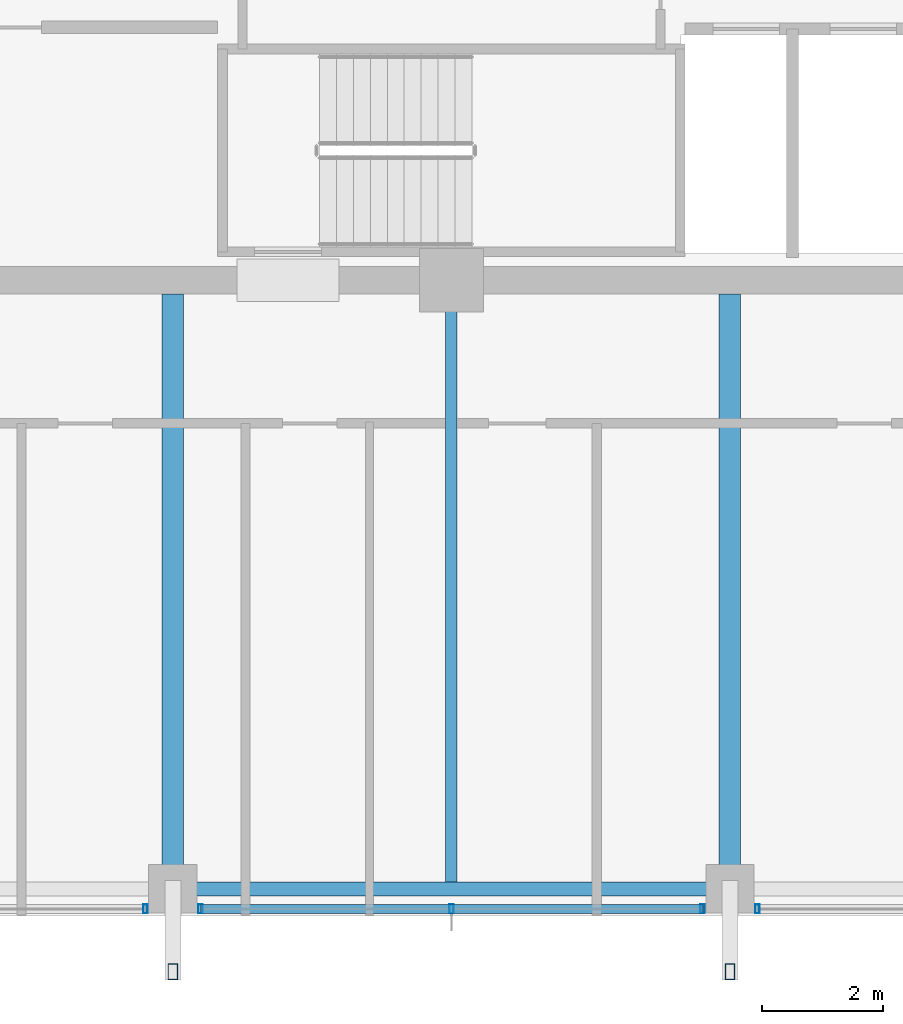
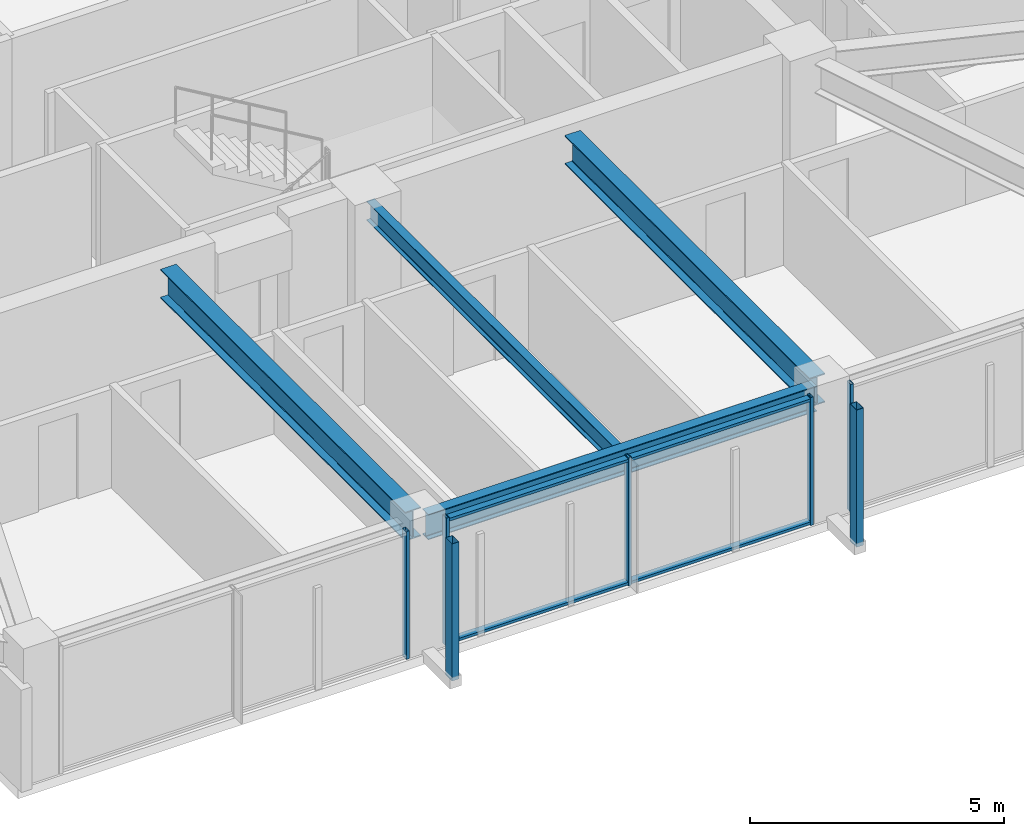
# One storey, part 4 of 35: 9 members, 4 beams, 3 elements without a shape of their own.
"""IFC4 building model written with IfcOpenShell, lengths in metres."""

from ifc_helpers import new_model, si_unit, direction, frame, origin, origin_2d, place, context, subcontext, project, spatial, hollow_rectangle, i_section, extrude, material, material_profile, profile_set, type_object, element, aggregate, save


model = new_model("IFC4")

# Units and contexts
model_context = context("Model", 3, precision=1e-05, world=origin(), true_north=direction((0.0, 1.0)))
body_context = subcontext(model_context, "Body", "Model", "MODEL_VIEW")
ifc_project = project(units=[si_unit("LENGTHUNIT", "METRE"), si_unit("AREAUNIT", "SQUARE_METRE"), si_unit("VOLUMEUNIT", "CUBIC_METRE"), si_unit("PLANEANGLEUNIT", "RADIAN"), si_unit("MASSUNIT", "GRAM", prefix="KILO")], contexts=[model_context])

# Site, building, storey
site_placement = place(None, origin())
site = spatial("IfcSite", under=ifc_project, at=site_placement, CompositionType="ELEMENT")
building_placement = place(site_placement, origin())
building = spatial("IfcBuilding", under=site, at=building_placement, Name="Kolvaren Belvedere", CompositionType="ELEMENT")
storey_placement = place(building_placement, frame((0.0, 0.0, 216.300048828125)))
storey = spatial("IfcBuildingStorey", under=building, at=storey_placement, Name="L63", CompositionType="ELEMENT", Elevation=216.300048828125)

# Beams
ifc_material_1 = material(Name="Structural steel ASTM A992 Grade 50", Category="steel")
ifc_material_profile_1 = material_profile(ifc_material_1, i_section(OverallWidth=0.35498046875, OverallDepth=0.696044921875, WebThickness=0.015380859375, FlangeThickness=0.02490234375, FilletRadius=0.02197265625, at=origin_2d()), Name="W27X146")
ifc_profile_set_1 = profile_set([ifc_material_profile_1], Name="Structural steel ASTM A992 Grade 50")
beam_type_1 = type_object("IfcBeamType", Name="BM-GIRD-W27X146", PredefinedType="BEAM", material=ifc_profile_set_1)
for number, where, z_axis, x_axis, name in (
    (1, (4.60009765625, -10.125, 2.73193359375), (0.0, -1.0, 0.0), (1.0, 0.0, 0.0), "L63 South Radial Girder P"),
    (2, (-4.60009765625, -10.125, 2.73193359375), (0.0, -1.0, 0.0), (1.0, 0.0, 0.0), "L63 South Radial Girder M"),
):
    element("IfcBeam", number, at=place(storey_placement, frame(where, z_axis=z_axis, x_axis=x_axis)), inside=storey, type_object=beam_type_1, Name=name, PredefinedType="BEAM", context=body_context, shape_type="SweptSolid", body=[
        extrude(i_section(OverallWidth=0.35498046875, OverallDepth=0.696044921875, WebThickness=0.015380859375, FlangeThickness=0.02490234375, FilletRadius=0.02197265625, at=origin_2d()), origin(), (0.0, 0.0, 1.0), 9.64501953125),
    ])
ifc_material_2 = material(Name="Structural steel ASTM A992 Grade 50", Category="steel")
ifc_material_profile_2 = material_profile(ifc_material_2, i_section(OverallWidth=0.19091796875, OverallDepth=0.4599609375, WebThickness=0.010009765625, FlangeThickness=0.01611328125, FilletRadius=0.014892578125, at=origin_2d()), Name="W18X55")
ifc_profile_set_2 = profile_set([ifc_material_profile_2], Name="Structural steel ASTM A992 Grade 50")
beam_type_2 = type_object("IfcBeamType", Name="BM-JOIST-W18X55", PredefinedType="BEAM", material=ifc_profile_set_2)
beam_1_placement = place(storey_placement, frame((0.0, -10.125, 2.849853515625), z_axis=(0.0, -1.0, 0.0), x_axis=(1.0, 0.0, 0.0)))
element("IfcBeam", 3, at=beam_1_placement, inside=storey, type_object=beam_type_2, Name="L63 South Centre Floor Beam", PredefinedType="BEAM", context=body_context, shape_type="SweptSolid", body=[
    extrude(i_section(OverallWidth=0.19091796875, OverallDepth=0.4599609375, WebThickness=0.010009765625, FlangeThickness=0.01611328125, FilletRadius=0.014892578125, at=origin_2d()), origin(), (0.0, 0.0, 1.0), 9.71044921875),
])
ifc_material_3 = material(Name="Structural steel ASTM A992 Grade 50", Category="steel")
ifc_material_profile_3 = material_profile(ifc_material_3, i_section(OverallWidth=0.22900390625, OverallDepth=0.612060546875, WebThickness=0.011962890625, FlangeThickness=0.01953125, FilletRadius=0.01806640625, at=origin_2d()), Name="W24X84")
ifc_profile_set_3 = profile_set([ifc_material_profile_3], Name="Structural steel ASTM A992 Grade 50")
beam_type_3 = type_object("IfcBeamType", Name="BM-SPAN-W24X84", PredefinedType="SPANDREL", material=ifc_profile_set_3)
beam_2_placement = place(storey_placement, frame((-4.419921875, -19.949951171875, 2.77392578125), z_axis=(1.0, 0.0, 0.0), x_axis=(0.0, 1.0, 0.0)))
element("IfcBeam", 4, at=beam_2_placement, inside=storey, type_object=beam_type_3, Name="L63 Perimeter Spandrel S2-S3", PredefinedType="SPANDREL", context=body_context, shape_type="SweptSolid", body=[
    extrude(i_section(OverallWidth=0.22900390625, OverallDepth=0.612060546875, WebThickness=0.011962890625, FlangeThickness=0.01953125, FilletRadius=0.01806640625, at=origin_2d()), origin(), (0.0, 0.0, 1.0), 8.83984375),
])

# Curtain wall, member
ifc_material_4 = material(Name="Anodised pale-metal aluminium AA 6063-T6", Category="aluminium")
curtain_wall_type = type_object("IfcCurtainWallType", Name="CW-Z5-HIGH", PredefinedType="NOTDEFINED", material=ifc_material_4)
curtain_wall_1_placement = place(storey_placement, origin())
curtain_wall_1 = element("IfcCurtainWall", 5, at=curtain_wall_1_placement, inside=storey, type_object=curtain_wall_type, Name="L63 Unitised Curtain Wall FCW-L63-S-B1", PredefinedType="NOTDEFINED")
ifc_material_5 = material(Name="Anodised pale-metal aluminium AA 6063-T6", Category="aluminium")
ifc_material_profile_4 = material_profile(ifc_material_5, hollow_rectangle(XDim=0.070068359375, YDim=0.14990234375, WallThickness=0.004150390625, at=origin_2d()), Name="ALU-MUL-150X70")
ifc_profile_set_4 = profile_set([ifc_material_profile_4], Name="Anodised pale-metal aluminium AA 6063-T6")
member_type_1 = type_object("IfcMemberType", Name="CW-MUL-150", PredefinedType="MULLION", material=ifc_profile_set_4)
member_1_placement = place(storey_placement, frame((5.054931640625, -20.280029296875, 0.0), z_axis=(0.0, 0.0, 1.0), x_axis=(1.0, 0.0, 0.0)))
member_1 = element("IfcMember", 6, at=member_1_placement, type_object=member_type_1, Name="FCW-L63-S-B1 Unitised Mullion 3", PredefinedType="MULLION", context=body_context, shape_type="SweptSolid", body=[
    extrude(hollow_rectangle(XDim=0.070068359375, YDim=0.14990234375, WallThickness=0.004150390625, at=origin_2d()), origin(), (0.0, 0.0, 1.0), 3.079833984375),
])
aggregate(curtain_wall_1, [member_1])

# Curtain wall, members
curtain_wall_2_placement = place(storey_placement, origin())
curtain_wall_2 = element("IfcCurtainWall", 7, at=curtain_wall_2_placement, inside=storey, type_object=curtain_wall_type, Name="L63 Unitised Curtain Wall FCW-L63-S-B2", PredefinedType="NOTDEFINED")
member_2_placement = place(storey_placement, frame((4.14501953125, -20.280029296875, 0.0), z_axis=(0.0, 0.0, 1.0), x_axis=(1.0, 0.0, 0.0)))
member_2 = element("IfcMember", 8, at=member_2_placement, type_object=member_type_1, Name="FCW-L63-S-B2 Unitised Mullion 1", PredefinedType="MULLION", context=body_context, shape_type="SweptSolid", body=[
    extrude(hollow_rectangle(XDim=0.070068359375, YDim=0.14990234375, WallThickness=0.004150390625, at=origin_2d()), origin(), (0.0, 0.0, 1.0), 3.079833984375),
])
member_3_placement = place(storey_placement, frame((0.0, -20.280029296875, 0.0), z_axis=(0.0, 0.0, 1.0), x_axis=(1.0, 0.0, 0.0)))
member_3 = element("IfcMember", 9, at=member_3_placement, type_object=member_type_1, Name="FCW-L63-S-B2 Unitised Mullion 2", PredefinedType="MULLION", context=body_context, shape_type="SweptSolid", body=[
    extrude(hollow_rectangle(XDim=0.070068359375, YDim=0.14990234375, WallThickness=0.004150390625, at=origin_2d()), origin(), (0.0, 0.0, 1.0), 3.079833984375),
])
member_4_placement = place(storey_placement, frame((-4.14501953125, -20.280029296875, 0.0), z_axis=(0.0, 0.0, 1.0), x_axis=(1.0, 0.0, 0.0)))
member_4 = element("IfcMember", 10, at=member_4_placement, type_object=member_type_1, Name="FCW-L63-S-B2 Unitised Mullion 3", PredefinedType="MULLION", context=body_context, shape_type="SweptSolid", body=[
    extrude(hollow_rectangle(XDim=0.070068359375, YDim=0.14990234375, WallThickness=0.004150390625, at=origin_2d()), origin(), (0.0, 0.0, 1.0), 3.079833984375),
])

# Curtain wall, member
curtain_wall_3_placement = place(storey_placement, origin())
curtain_wall_3 = element("IfcCurtainWall", 11, at=curtain_wall_3_placement, inside=storey, type_object=curtain_wall_type, Name="L63 Unitised Curtain Wall FCW-L63-S-B3", PredefinedType="NOTDEFINED")
member_5_placement = place(storey_placement, frame((-5.054931640625, -20.280029296875, 0.0), z_axis=(0.0, 0.0, 1.0), x_axis=(1.0, 0.0, 0.0)))
member_5 = element("IfcMember", 12, at=member_5_placement, type_object=member_type_1, Name="FCW-L63-S-B3 Unitised Mullion 1", PredefinedType="MULLION", context=body_context, shape_type="SweptSolid", body=[
    extrude(hollow_rectangle(XDim=0.070068359375, YDim=0.14990234375, WallThickness=0.004150390625, at=origin_2d()), origin(), (0.0, 0.0, 1.0), 3.079833984375),
])
aggregate(curtain_wall_3, [member_5])

# Member
ifc_material_6 = material(Name="Anodised pale-metal aluminium AA 6063-T6", Category="aluminium")
ifc_material_profile_5 = material_profile(ifc_material_6, hollow_rectangle(XDim=0.06494140625, YDim=0.14990234375, WallThickness=0.00390625, at=origin_2d()), Name="ALU-TRN-150X65")
ifc_profile_set_5 = profile_set([ifc_material_profile_5], Name="Anodised pale-metal aluminium AA 6063-T6")
member_type_2 = type_object("IfcMemberType", Name="CW-TRN-150", PredefinedType="USERDEFINED", material=ifc_profile_set_5)
member_6_placement = place(storey_placement, frame((4.14501953125, -20.280029296875, 0.06005859375), z_axis=(-1.0, 0.0, 0.0), x_axis=(0.0, 0.0, 1.0)))
member_6 = element("IfcMember", 13, at=member_6_placement, type_object=member_type_2, Name="FCW-L63-S-B2 Sill Transom", ObjectType="TRANSOM", PredefinedType="USERDEFINED", context=body_context, shape_type="SweptSolid", body=[
    extrude(hollow_rectangle(XDim=0.06494140625, YDim=0.14990234375, WallThickness=0.00390625, at=origin_2d()), origin(), (0.0, 0.0, 1.0), 8.2900390625),
])

member_7_placement = place(storey_placement, frame((4.14501953125, -20.280029296875, 3.02001953125), z_axis=(-1.0, 0.0, 0.0), x_axis=(0.0, 0.0, 1.0)))
member_7 = element("IfcMember", 14, at=member_7_placement, type_object=member_type_2, Name="FCW-L63-S-B2 Head Transom", ObjectType="TRANSOM", PredefinedType="USERDEFINED", context=body_context, shape_type="SweptSolid", body=[
    extrude(hollow_rectangle(XDim=0.06494140625, YDim=0.14990234375, WallThickness=0.00390625, at=origin_2d()), origin(), (0.0, 0.0, 1.0), 8.2900390625),
])

aggregate(curtain_wall_2, [member_2, member_3, member_4, member_6, member_7])

# Members
ifc_material_7 = material(Name="Anodised pale-metal aluminium AA 6063-T6", Category="aluminium")
ifc_material_profile_6 = material_profile(ifc_material_7, hollow_rectangle(XDim=0.159912109375, YDim=0.260009765625, WallThickness=0.006591796875, at=origin_2d()), Name="ALU-PF-260X160")
ifc_profile_set_6 = profile_set([ifc_material_profile_6], Name="Anodised pale-metal aluminium AA 6063-T6")
member_type_3 = type_object("IfcMemberType", Name="PF-FRAME-260", PredefinedType="USERDEFINED", material=ifc_profile_set_6)
for number, where, z_axis, x_axis, name in (
    (15, (4.60009765625, -21.320068359375, 0.0), (0.0, 0.0, 1.0), (1.0, 0.0, 0.0), "L63 Outboard Picture-Frame Vertical S1"),
    (16, (-4.60009765625, -21.320068359375, 0.0), (0.0, 0.0, 1.0), (1.0, 0.0, 0.0), "L63 Outboard Picture-Frame Vertical S2"),
):
    element("IfcMember", number, at=place(storey_placement, frame(where, z_axis=z_axis, x_axis=x_axis)), inside=storey, type_object=member_type_3, Name=name, ObjectType="PICTURE FRAME FIN", PredefinedType="USERDEFINED", context=body_context, shape_type="SweptSolid", body=[
        extrude(hollow_rectangle(XDim=0.159912109375, YDim=0.260009765625, WallThickness=0.006591796875, at=origin_2d()), origin(), (0.0, 0.0, 1.0), 3.300048828125),
    ])

save(model, "model.ifc")
